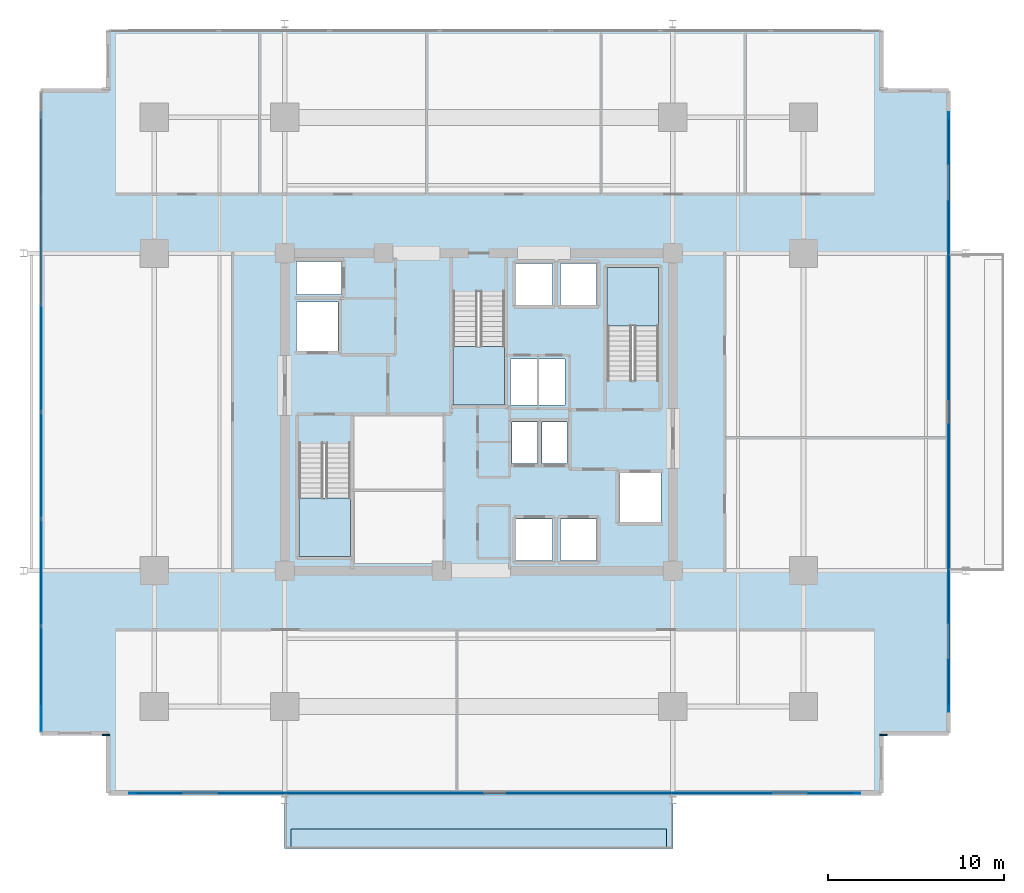
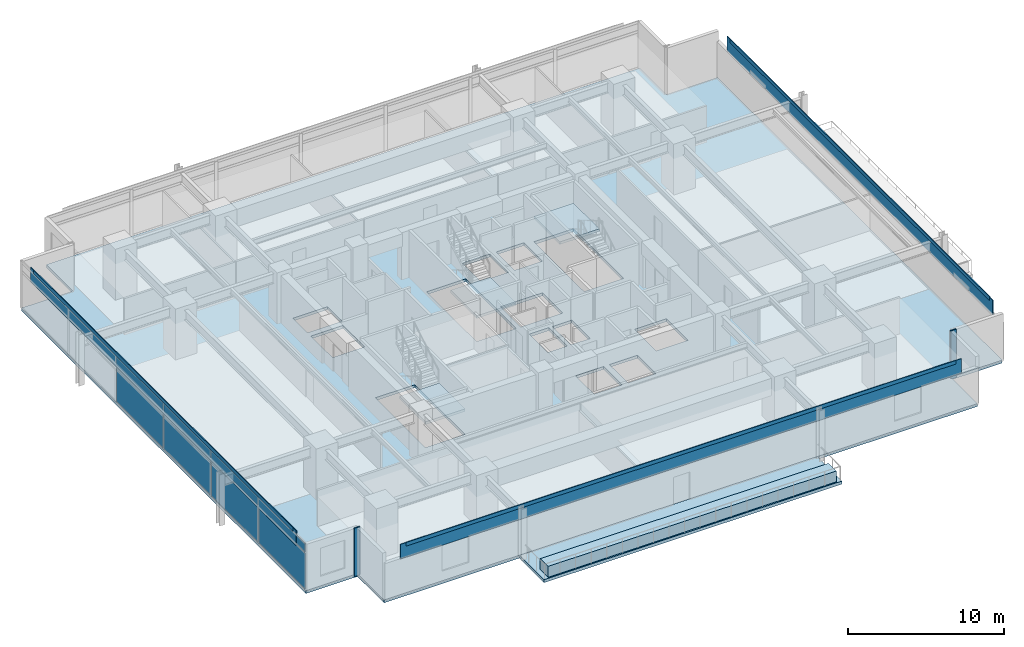
# One storey, part 12 of 22: 16 plates, 6 slabs, 4 elements without a shape of their own.
"""IFC4 building model written with IfcOpenShell, lengths in metres."""

from ifc_helpers import new_model, si_unit, direction, frame, origin, origin_2d, place, context, subcontext, project, spatial, polyline, rectangle, outline, extrude, material, layer, layer_set, type_object, element, aggregate, save


model = new_model("IFC4")

# Units and contexts
model_context = context("Model", 3, precision=1e-05, world=origin(), true_north=direction((0.0, 1.0)))
body_context = subcontext(model_context, "Body", "Model", "MODEL_VIEW")
ifc_project = project(units=[si_unit("LENGTHUNIT", "METRE"), si_unit("AREAUNIT", "SQUARE_METRE"), si_unit("VOLUMEUNIT", "CUBIC_METRE"), si_unit("PLANEANGLEUNIT", "RADIAN"), si_unit("MASSUNIT", "GRAM", prefix="KILO")], contexts=[model_context])

# Site, building, storey
site_placement = place(None, origin())
site = spatial("IfcSite", under=ifc_project, at=site_placement, CompositionType="ELEMENT")
building_placement = place(site_placement, origin())
building = spatial("IfcBuilding", under=site, at=building_placement, Name="Kovane Verandah Tower", CompositionType="ELEMENT")
storey_placement = place(building_placement, frame((0.0, 0.0, 180.39990234375)))
storey = spatial("IfcBuildingStorey", under=building, at=storey_placement, Name="L42", CompositionType="ELEMENT", Elevation=180.39990234375)

# Curtain wall, plates
ifc_material_1 = material(Name="Champagne Anodised Aluminium Frame with Low-E Clear Laminated Glass", Category="aluminium")
curtain_wall_type = type_object("IfcCurtainWallType", Name="CW-SYS-03-MID", PredefinedType="NOTDEFINED", material=ifc_material_1)
curtain_wall_placement = place(storey_placement, origin())
curtain_wall = element("IfcCurtainWall", 1, at=curtain_wall_placement, inside=storey, type_object=curtain_wall_type, Name="L42 W Unitised Curtain Wall", PredefinedType="NOTDEFINED")
ifc_material_2 = material(Name="Pale Champagne Anodised Aluminium Insulated Spandrel", Category="aluminium")
ifc_layer_1 = layer(ifc_material_2, 0.0400390625)
ifc_layer_set_1 = layer_set([ifc_layer_1], Name="Pale Champagne Anodised Aluminium Insulated Spandrel")
plate_type_1 = type_object("IfcPlateType", Name="PL-CW-SPD-40", PredefinedType="SHEET", material=ifc_layer_set_1)
plate_1_placement = place(storey_placement, frame((15.199951171875, 30.533203125, 2.97021484375), z_axis=(0.0, 0.0, 1.0), x_axis=(0.0, -1.0, 0.0)))
plate_1 = element("IfcPlate", 2, at=plate_1_placement, type_object=plate_type_1, Name="L42 W Unitised Curtain Wall Spandrel Panel 3", PredefinedType="SHEET", context=body_context, shape_type="SweptSolid", body=[
    extrude(rectangle(XDim=5.9267578125, YDim=0.0400390625, at=origin_2d()), origin(), (0.0, 0.0, 1.0), 0.639892578125),
])
plate_2_placement = place(storey_placement, frame((15.199951171875, 24.466796875, 2.97021484375), z_axis=(0.0, 0.0, 1.0), x_axis=(0.0, -1.0, 0.0)))
plate_2 = element("IfcPlate", 3, at=plate_2_placement, type_object=plate_type_1, Name="L42 W Unitised Curtain Wall Spandrel Panel 4", PredefinedType="SHEET", context=body_context, shape_type="SweptSolid", body=[
    extrude(rectangle(XDim=5.9267578125, YDim=0.0400390625, at=origin_2d()), origin(), (0.0, 0.0, 1.0), 0.639892578125),
])
plate_3_placement = place(storey_placement, frame((15.199951171875, 18.39990234375, 2.97021484375), z_axis=(0.0, 0.0, 1.0), x_axis=(0.0, -1.0, 0.0)))
plate_3 = element("IfcPlate", 4, at=plate_3_placement, type_object=plate_type_1, Name="L42 W Unitised Curtain Wall Spandrel Panel 5", PredefinedType="SHEET", context=body_context, shape_type="SweptSolid", body=[
    extrude(rectangle(XDim=5.9267578125, YDim=0.0400390625, at=origin_2d()), origin(), (0.0, 0.0, 1.0), 0.639892578125),
])
plate_4_placement = place(storey_placement, frame((15.199951171875, 12.333251953125, 2.97021484375), z_axis=(0.0, 0.0, 1.0), x_axis=(0.0, -1.0, 0.0)))
plate_4 = element("IfcPlate", 5, at=plate_4_placement, type_object=plate_type_1, Name="L42 W Unitised Curtain Wall Spandrel Panel 6", PredefinedType="SHEET", context=body_context, shape_type="SweptSolid", body=[
    extrude(rectangle(XDim=5.9267578125, YDim=0.0400390625, at=origin_2d()), origin(), (0.0, 0.0, 1.0), 0.639892578125),
])
ifc_material_3 = material(Name="Clear Low-E Laminated Double Glazing", Category="glass")
ifc_layer_2 = layer(ifc_material_3, 0.031982421875)
ifc_layer_set_2 = layer_set([ifc_layer_2], Name="Clear Low-E Laminated Double Glazing")
plate_type_2 = type_object("IfcPlateType", Name="PL-CW-VIS-32", PredefinedType="CURTAIN_PANEL", material=ifc_layer_set_2)
plate_5_placement = place(storey_placement, frame((15.199951171875, 30.533203125, 0.10009765625), z_axis=(0.0, 0.0, 1.0), x_axis=(0.0, -1.0, 0.0)))
plate_5 = element("IfcPlate", 6, at=plate_5_placement, type_object=plate_type_2, Name="L42 W Unitised Curtain Wall Vision Panel 3", PredefinedType="CURTAIN_PANEL", context=body_context, shape_type="SweptSolid", body=[
    extrude(rectangle(XDim=5.9267578125, YDim=0.031982421875, at=origin_2d()), origin(), (0.0, 0.0, 1.0), 2.77001953125),
])
plate_6_placement = place(storey_placement, frame((15.199951171875, 24.466796875, 0.10009765625), z_axis=(0.0, 0.0, 1.0), x_axis=(0.0, -1.0, 0.0)))
plate_6 = element("IfcPlate", 7, at=plate_6_placement, type_object=plate_type_2, Name="L42 W Unitised Curtain Wall Vision Panel 4", PredefinedType="CURTAIN_PANEL", context=body_context, shape_type="SweptSolid", body=[
    extrude(rectangle(XDim=5.9267578125, YDim=0.031982421875, at=origin_2d()), origin(), (0.0, 0.0, 1.0), 2.77001953125),
])
plate_7_placement = place(storey_placement, frame((15.199951171875, 18.39990234375, 0.10009765625), z_axis=(0.0, 0.0, 1.0), x_axis=(0.0, -1.0, 0.0)))
plate_7 = element("IfcPlate", 8, at=plate_7_placement, type_object=plate_type_2, Name="L42 W Unitised Curtain Wall Vision Panel 5", PredefinedType="CURTAIN_PANEL", context=body_context, shape_type="SweptSolid", body=[
    extrude(rectangle(XDim=5.9267578125, YDim=0.031982421875, at=origin_2d()), origin(), (0.0, 0.0, 1.0), 2.77001953125),
])
plate_8_placement = place(storey_placement, frame((15.199951171875, 12.333251953125, 0.10009765625), z_axis=(0.0, 0.0, 1.0), x_axis=(0.0, -1.0, 0.0)))
plate_8 = element("IfcPlate", 9, at=plate_8_placement, type_object=plate_type_2, Name="L42 W Unitised Curtain Wall Vision Panel 6", PredefinedType="CURTAIN_PANEL", context=body_context, shape_type="SweptSolid", body=[
    extrude(rectangle(XDim=5.9267578125, YDim=0.031982421875, at=origin_2d()), origin(), (0.0, 0.0, 1.0), 2.77001953125),
])
aggregate(curtain_wall, [plate_5, plate_1, plate_6, plate_2, plate_7, plate_3, plate_8, plate_4])

# Plates
ifc_material_4 = material(Name="Timber-Toned Subtropical Aluminium Vertical Blade", Category="wood")
ifc_layer_3 = layer(ifc_material_4, 0.090087890625)
ifc_layer_set_3 = layer_set([ifc_layer_3], Name="Timber-Toned Subtropical Aluminium Vertical Blade")
plate_type_3 = type_object("IfcPlateType", Name="PL-FIN-90", PredefinedType="USERDEFINED", material=ifc_layer_set_3)
for number, where, z_axis, x_axis, name in (
    (10, (18.8798828125, 9.179931640625, -0.02001953125), (0.0, 0.0, 1.0), (1.0, 0.0, 0.0), "L42 SW Timber-Toned Vertical Corner Fin"),
    (11, (62.93994140625, 9.179931640625, -0.02001953125), (0.0, 0.0, 1.0), (1.0, 0.0, 0.0), "L42 SE Timber-Toned Vertical Corner Fin"),
):
    element("IfcPlate", number, at=place(storey_placement, frame(where, z_axis=z_axis, x_axis=x_axis)), inside=storey, type_object=plate_type_3, Name=name, ObjectType="FIN", PredefinedType="USERDEFINED", context=body_context, shape_type="SweptSolid", body=[
        extrude(rectangle(XDim=0.419921875, YDim=0.090087890625, at=origin_2d()), origin(), (0.0, 0.0, 1.0), 3.760009765625),
    ])
ifc_material_5 = material(Name="Perforated Pale Champagne Anodised Aluminium Solar Screen", Category="aluminium")
ifc_layer_4 = layer(ifc_material_5, 0.050048828125)
ifc_layer_set_4 = layer_set([ifc_layer_4], Name="Perforated Pale Champagne Anodised Aluminium Solar Screen")
plate_type_4 = type_object("IfcPlateType", Name="PL-SCREEN-50", PredefinedType="USERDEFINED", material=ifc_layer_set_4)
plate_9_placement = place(storey_placement, frame((40.909912109375, 5.885009765625, 2.800048828125), z_axis=(0.0, 0.0, 1.0), x_axis=(1.0, 0.0, 0.0)))
element("IfcPlate", 12, at=plate_9_placement, inside=storey, type_object=plate_type_4, Name="L42 S Perforated Champagne-Gold Solar Screen", ObjectType="SCREEN", PredefinedType="USERDEFINED", context=body_context, shape_type="SweptSolid", body=[
    extrude(rectangle(XDim=41.419921875, YDim=0.050048828125, at=origin_2d()), origin(), (0.0, 0.0, 1.0), 1.14990234375),
])
for number, where, z_axis, x_axis, name in (
    (13, (66.635009765625, 27.5, 2.800048828125), (0.0, 0.0, 1.0), (0.0, 1.0, 0.0), "L42 E Perforated Champagne-Gold Solar Screen"),
    (14, (15.18505859375, 27.5, 2.800048828125), (0.0, 0.0, 1.0), (0.0, -1.0, 0.0), "L42 W Perforated Champagne-Gold Solar Screen"),
):
    element("IfcPlate", number, at=place(storey_placement, frame(where, z_axis=z_axis, x_axis=x_axis)), inside=storey, type_object=plate_type_4, Name=name, ObjectType="SCREEN", PredefinedType="USERDEFINED", context=body_context, shape_type="SweptSolid", body=[
        extrude(rectangle(XDim=34.0, YDim=0.050048828125, at=origin_2d()), origin(), (0.0, 0.0, 1.0), 1.14990234375),
    ])
ifc_material_6 = material(Name="Extruded Pale-Bronze Aluminium Aerofoil Sunshade", Category="aluminium")
ifc_layer_5 = layer(ifc_material_6, 0.06005859375)
ifc_layer_set_5 = layer_set([ifc_layer_5], Name="Extruded Pale-Bronze Aluminium Aerofoil Sunshade")
plate_type_5 = type_object("IfcPlateType", Name="PL-SUNSHADE-60", PredefinedType="USERDEFINED", material=ifc_layer_set_5)
plate_10_placement = place(storey_placement, frame((40.909912109375, 5.8798828125, 3.68017578125), z_axis=(0.0, 0.0, 1.0), x_axis=(1.0, 0.0, 0.0)))
element("IfcPlate", 15, at=plate_10_placement, inside=storey, type_object=plate_type_5, Name="L42 S Subtropical Aerofoil Sunshade", ObjectType="SUNSHADE", PredefinedType="USERDEFINED", context=body_context, shape_type="SweptSolid", body=[
    extrude(rectangle(XDim=40.6201171875, YDim=0.06005859375, at=origin_2d()), origin(), (0.0, 0.0, 1.0), 0.280029296875),
])
for number, where, z_axis, x_axis, name in (
    (16, (66.639892578125, 27.5, 3.68017578125), (0.0, 0.0, 1.0), (0.0, 1.0, 0.0), "L42 E Subtropical Aerofoil Sunshade"),
    (17, (15.179931640625, 27.5, 3.68017578125), (0.0, 0.0, 1.0), (0.0, -1.0, 0.0), "L42 W Subtropical Aerofoil Sunshade"),
):
    element("IfcPlate", number, at=place(storey_placement, frame(where, z_axis=z_axis, x_axis=x_axis)), inside=storey, type_object=plate_type_5, Name=name, ObjectType="SUNSHADE", PredefinedType="USERDEFINED", context=body_context, shape_type="SweptSolid", body=[
        extrude(rectangle(XDim=33.199951171875, YDim=0.06005859375, at=origin_2d()), origin(), (0.0, 0.0, 1.0), 0.280029296875),
    ])

# Slab
ifc_material_7 = material(Name="Concrete C45/55", Category="concrete")
ifc_layer_6 = layer(ifc_material_7, 0.239990234375)
ifc_layer_set_6 = layer_set([ifc_layer_6], Name="Concrete C45/55")
slab_type_1 = type_object("IfcSlabType", Name="SL-BALC-240", PredefinedType="FLOOR", material=ifc_layer_set_6)
slab_1_placement = place(storey_placement, frame((0.0, 0.0, -0.239990234375)))
element("IfcSlab", 18, at=slab_1_placement, inside=storey, type_object=slab_type_1, Name="L42 S Planted Verandah Balcony Slab", PredefinedType="FLOOR", context=body_context, shape_type="SweptSolid", body=[
    extrude(outline(polyline([(29.0, 2.75), (51.0, 2.75), (51.0, 5.89990234375), (29.0, 5.89990234375), (29.0, 2.75)])), origin(), (0.0, 0.0, 1.0), 0.239990234375),
])

# Stair, slab
stair_type = type_object("IfcStairType", Name="ST-CORE-1380", PredefinedType="HALF_TURN_STAIR", material=ifc_material_7)
stair_1_placement = place(storey_placement, origin())
stair_1 = element("IfcStair", 19, at=stair_1_placement, inside=storey, type_object=stair_type, Name="L42 Exit Stair ST-01", PredefinedType="HALF_TURN_STAIR")
ifc_layer_7 = layer(ifc_material_7, 0.199951171875)
ifc_layer_set_7 = layer_set([ifc_layer_7], Name="Concrete C45/55")
slab_type_2 = type_object("IfcSlabType", Name="SL-LAND-200", PredefinedType="LANDING", material=ifc_layer_set_7)
slab_2_placement = place(storey_placement, frame((0.0, 0.0, 1.800048828125)))
slab_2 = element("IfcSlab", 20, at=slab_2_placement, type_object=slab_type_2, Name="ST-01 landing 1", PredefinedType="LANDING", context=body_context, shape_type="SweptSolid", body=[
    extrude(outline(polyline([(29.800048828125, 22.614990234375), (29.800048828125, 19.300048828125), (32.719970703125, 19.300048828125), (32.719970703125, 22.614990234375), (29.800048828125, 22.614990234375)])), origin(), (0.0, 0.0, 1.0), 0.199951171875),
])
aggregate(stair_1, [slab_2])

stair_2_placement = place(storey_placement, origin())
stair_2 = element("IfcStair", 21, at=stair_2_placement, inside=storey, type_object=stair_type, Name="L42 Exit Stair ST-02", PredefinedType="HALF_TURN_STAIR")
slab_3_placement = place(storey_placement, frame((0.0, 0.0, 1.800048828125)))
slab_3 = element("IfcSlab", 22, at=slab_3_placement, type_object=slab_type_2, Name="ST-02 landing 1", PredefinedType="LANDING", context=body_context, shape_type="SweptSolid", body=[
    extrude(outline(polyline([(50.199951171875, 32.385009765625), (50.199951171875, 35.699951171875), (47.280029296875, 35.699951171875), (47.280029296875, 32.385009765625), (50.199951171875, 32.385009765625)])), origin(), (0.0, 0.0, 1.0), 0.199951171875),
])
aggregate(stair_2, [slab_3])

stair_3_placement = place(storey_placement, origin())
stair_3 = element("IfcStair", 23, at=stair_3_placement, inside=storey, type_object=stair_type, Name="L42 Exit Stair ST-03", PredefinedType="HALF_TURN_STAIR")
slab_4_placement = place(storey_placement, frame((0.0, 0.0, 1.800048828125)))
slab_4 = element("IfcSlab", 24, at=slab_4_placement, type_object=slab_type_2, Name="ST-03 landing 1", PredefinedType="LANDING", context=body_context, shape_type="SweptSolid", body=[
    extrude(outline(polyline([(38.5400390625, 31.215087890625), (38.5400390625, 27.89990234375), (41.4599609375, 27.89990234375), (41.4599609375, 31.215087890625), (38.5400390625, 31.215087890625)])), origin(), (0.0, 0.0, 1.0), 0.199951171875),
])
aggregate(stair_3, [slab_4])

# Slabs
ifc_layer_8 = layer(ifc_material_7, 0.22509765625)
ifc_layer_set_8 = layer_set([ifc_layer_8], Name="Concrete C45/55")
slab_type_3 = type_object("IfcSlabType", Name="SL-MID-225", PredefinedType="FLOOR", material=ifc_layer_set_8)
slab_5_placement = place(storey_placement, frame((0.0, 0.0, -0.224853515625)))
element("IfcSlab", 25, at=slab_5_placement, inside=storey, type_object=slab_type_3, Name="L42 Structural Floor Slab", PredefinedType="FLOOR", context=body_context, shape_type="SweptSolid", body=[
    extrude(outline(polyline([(19.0, 5.89990234375), (62.820068359375, 5.89990234375), (62.820068359375, 9.300048828125), (66.6201171875, 9.300048828125), (66.6201171875, 45.699951171875), (62.820068359375, 45.699951171875), (62.820068359375, 49.10009765625), (19.0, 49.10009765625), (19.0, 45.699951171875), (15.199951171875, 45.699951171875), (15.199951171875, 9.300048828125), (19.0, 9.300048828125), (19.0, 5.89990234375)]), holes=[polyline([(29.800048828125, 19.300048828125), (32.719970703125, 19.300048828125), (32.719970703125, 25.705078125), (29.800048828125, 25.705078125), (29.800048828125, 19.300048828125)]), polyline([(47.280029296875, 29.294921875), (50.199951171875, 29.294921875), (50.199951171875, 35.699951171875), (47.280029296875, 35.699951171875), (47.280029296875, 29.294921875)]), polyline([(38.5400390625, 27.89990234375), (41.4599609375, 27.89990234375), (41.4599609375, 34.304931640625), (38.5400390625, 34.304931640625), (38.5400390625, 27.89990234375)]), polyline([(29.669921875, 30.969970703125), (32.030029296875, 30.969970703125), (32.030029296875, 33.72998046875), (29.669921875, 33.72998046875), (29.669921875, 30.969970703125)]), polyline([(47.969970703125, 21.27001953125), (50.330078125, 21.27001953125), (50.330078125, 24.030029296875), (47.969970703125, 24.030029296875), (47.969970703125, 21.27001953125)]), polyline([(29.669921875, 34.169921875), (32.22998046875, 34.169921875), (32.22998046875, 36.030029296875), (29.669921875, 36.030029296875), (29.669921875, 34.169921875)]), polyline([(42.1201171875, 19.070068359375), (44.179931640625, 19.070068359375), (44.179931640625, 21.429931640625), (42.1201171875, 21.429931640625), (42.1201171875, 19.070068359375)]), polyline([(44.6201171875, 19.070068359375), (46.679931640625, 19.070068359375), (46.679931640625, 21.429931640625), (44.6201171875, 21.429931640625), (44.6201171875, 19.070068359375)]), polyline([(41.8798828125, 24.570068359375), (43.320068359375, 24.570068359375), (43.320068359375, 26.929931640625), (41.8798828125, 26.929931640625), (41.8798828125, 24.570068359375)]), polyline([(43.580078125, 24.570068359375), (45.0, 24.570068359375), (45.0, 26.929931640625), (43.580078125, 26.929931640625), (43.580078125, 24.570068359375)]), polyline([(42.1201171875, 33.570068359375), (44.179931640625, 33.570068359375), (44.179931640625, 35.929931640625), (42.1201171875, 35.929931640625), (42.1201171875, 33.570068359375)]), polyline([(44.6201171875, 33.570068359375), (46.679931640625, 33.570068359375), (46.679931640625, 35.929931640625), (44.6201171875, 35.929931640625), (44.6201171875, 33.570068359375)]), polyline([(41.800048828125, 27.89990234375), (44.89990234375, 27.89990234375), (44.89990234375, 30.5), (41.800048828125, 30.5), (41.800048828125, 27.89990234375)])]), origin(), (0.0, 0.0, 1.0), 0.224853515625),
])
ifc_material_8 = material(Name="Architectural Precast Concrete C45/55 Planter Trough", Category="concrete")
ifc_layer_9 = layer(ifc_material_8, 0.219970703125)
ifc_layer_set_9 = layer_set([ifc_layer_9], Name="Architectural Precast Concrete C45/55 Planter Trough")
slab_type_4 = type_object("IfcSlabType", Name="SL-PLANTER-220", PredefinedType="USERDEFINED", material=ifc_layer_set_9)
slab_6_placement = place(storey_placement, origin())
element("IfcSlab", 26, at=slab_6_placement, inside=storey, type_object=slab_type_4, Name="L42 S Structural Tree Planter", ObjectType="PLANTER", PredefinedType="USERDEFINED", context=body_context, shape_type="SweptSolid", body=[
    extrude(outline(polyline([(29.35009765625, 2.85009765625), (50.64990234375, 2.85009765625), (50.64990234375, 3.85009765625), (29.35009765625, 3.85009765625), (29.35009765625, 2.85009765625)])), origin(), (0.0, 0.0, 1.0), 0.85009765625),
])

save(model, "model.ifc")
